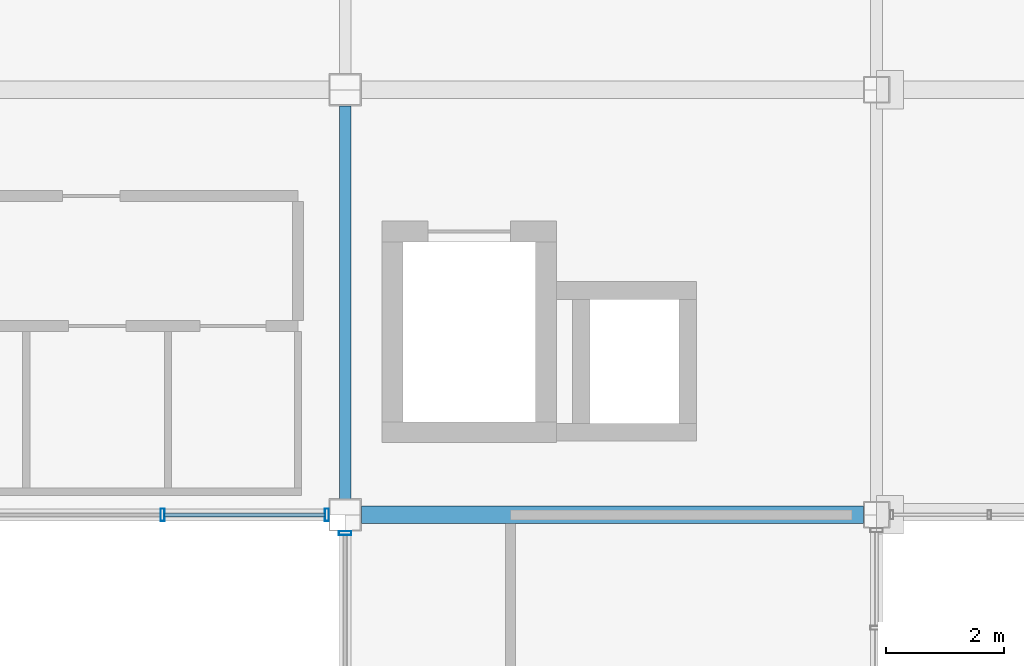
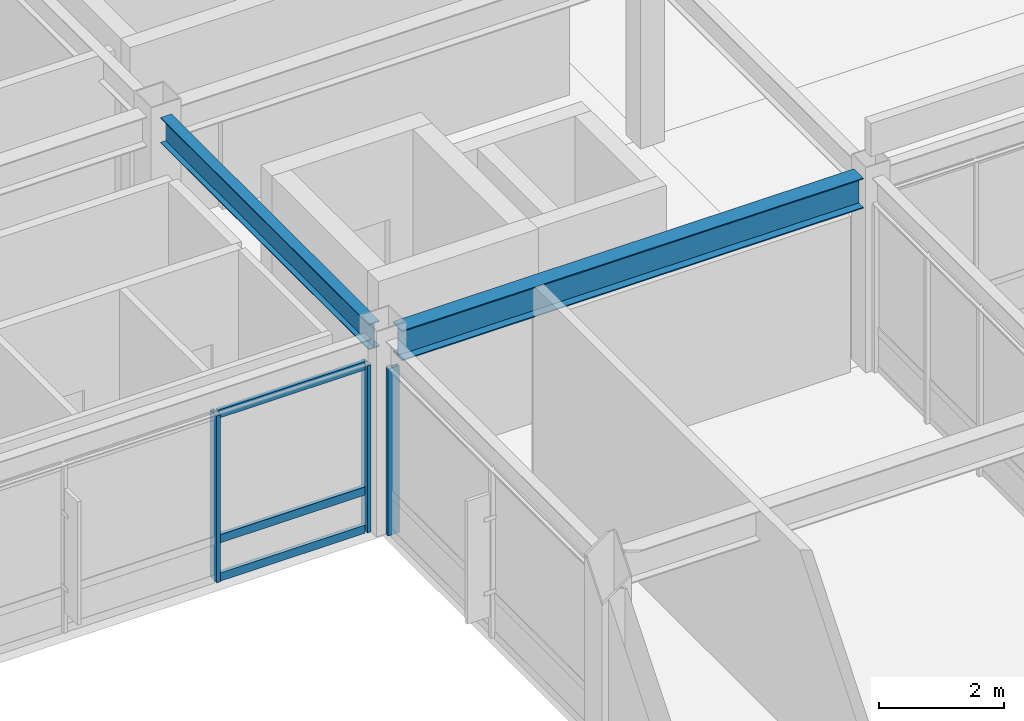
# One storey, part 75 of 122: 6 members, 2 beams, 2 elements without a shape of their own.
"""IFC4 building model written with IfcOpenShell, lengths in metres."""

from ifc_helpers import new_model, si_unit, direction, frame, origin, origin_2d, place, context, subcontext, project, spatial, hollow_rectangle, i_section, extrude, material, material_profile, profile_set, type_object, element, aggregate, save


model = new_model("IFC4")

# Units and contexts
model_context = context("Model", 3, precision=1e-05, world=origin(), true_north=direction((0.0, 1.0)))
body_context = subcontext(model_context, "Body", "Model", "MODEL_VIEW")
ifc_project = project(units=[si_unit("LENGTHUNIT", "METRE"), si_unit("AREAUNIT", "SQUARE_METRE"), si_unit("VOLUMEUNIT", "CUBIC_METRE"), si_unit("PLANEANGLEUNIT", "RADIAN"), si_unit("MASSUNIT", "GRAM", prefix="KILO")], contexts=[model_context])

# Site, building, storey
site_placement = place(None, origin())
site = spatial("IfcSite", under=ifc_project, at=site_placement, CompositionType="ELEMENT")
building_placement = place(site_placement, origin())
building = spatial("IfcBuilding", under=site, at=building_placement, Name="Kazanami Central Library", CompositionType="ELEMENT")
storey_placement = place(building_placement, frame((0.0, 0.0, 4.800048828125)))
storey = spatial("IfcBuildingStorey", under=building, at=storey_placement, Name="L02", CompositionType="ELEMENT", Elevation=4.800048828125)

# Beams
ifc_material_1 = material(Name="Steel SN490B (325 MPa)", Category="steel")
ifc_material_profile_1 = material_profile(ifc_material_1, i_section(OverallWidth=0.300048828125, OverallDepth=0.587890625, WebThickness=0.011962890625, FlangeThickness=0.02001953125, at=origin_2d()), Name="H-588x300x12x20")
ifc_profile_set_1 = profile_set([ifc_material_profile_1], Name="Steel SN490B (325 MPa)")
beam_type_1 = type_object("IfcBeamType", Name="BM-G-X2", PredefinedType="BEAM", material=ifc_profile_set_1)
beam_1_placement = place(storey_placement, frame((99.27294921875, 64.800048828125, 3.4609375), z_axis=(1.0, 0.0, 0.0), x_axis=(0.0, 1.0, 0.0)))
element("IfcBeam", 1, at=beam_1_placement, inside=storey, type_object=beam_type_1, Name="Girder G-X2 L02 K/12-13", PredefinedType="BEAM", context=body_context, shape_type="SweptSolid", body=[
    extrude(i_section(OverallWidth=0.300048828125, OverallDepth=0.587890625, WebThickness=0.011962890625, FlangeThickness=0.02001953125, at=origin_2d()), origin(), (0.0, 0.0, 1.0), 8.504150390625),
])
ifc_material_profile_2 = material_profile(ifc_material_1, i_section(OverallWidth=0.199951171875, OverallDepth=0.5, WebThickness=0.010009765625, FlangeThickness=0.01611328125, at=origin_2d()), Name="H-500x200x10x16")
ifc_profile_set_2 = profile_set([ifc_material_profile_2], Name="Steel SN490B (325 MPa)")
beam_type_2 = type_object("IfcBeamType", Name="BM-G-Y2", PredefinedType="BEAM", material=ifc_profile_set_2)
beam_2_placement = place(storey_placement, frame((99.0, 65.072998046875, 3.5048828125), z_axis=(0.0, 1.0, 0.0), x_axis=(-1.0, 0.0, 0.0)))
element("IfcBeam", 2, at=beam_2_placement, inside=storey, type_object=beam_type_2, Name="Girder G-Y2 L02 12/K-L", PredefinedType="BEAM", context=body_context, shape_type="SweptSolid", body=[
    extrude(i_section(OverallWidth=0.199951171875, OverallDepth=0.5, WebThickness=0.010009765625, FlangeThickness=0.01611328125, at=origin_2d()), origin(), (0.0, 0.0, 1.0), 6.654052734375),
])

# Curtain wall, members
ifc_material_2 = material(Name="Acid-Etched Low-E Laminated Glass", Category="glass")
curtain_wall_type_1 = type_object("IfcCurtainWallType", Name="CW-8450x3255-M275", PredefinedType="USERDEFINED", material=ifc_material_2)
curtain_wall_1_placement = place(storey_placement, origin())
curtain_wall_1 = element("IfcCurtainWall", 3, at=curtain_wall_1_placement, inside=storey, type_object=curtain_wall_type_1, Name="Unitised Curtain Wall CW-13 L02 S-K-10", ObjectType="UNITISED CURTAIN WALL", PredefinedType="USERDEFINED")
ifc_material_3 = material(Name="Anodised Aluminium A6063-T5", Category="aluminium")
ifc_material_profile_3 = material_profile(ifc_material_3, hollow_rectangle(XDim=0.070068359375, YDim=0.2099609375, WallThickness=0.0048828125, at=origin_2d()), Name="ALU-MULL-70x210x5")
ifc_profile_set_3 = profile_set([ifc_material_profile_3], Name="Anodised Aluminium A6063-T5")
member_type_1 = type_object("IfcMemberType", Name="MEM-CW-M1", PredefinedType="MULLION", material=ifc_profile_set_3)
member_1_placement = place(storey_placement, frame((95.908447265625, 64.800048828125, 0.0), z_axis=(0.0, 0.0, 1.0), x_axis=(1.0, 0.0, 0.0)))
member_1 = element("IfcMember", 4, at=member_1_placement, type_object=member_type_1, Name="CW-13 mullion 3", PredefinedType="MULLION", context=body_context, shape_type="SweptSolid", body=[
    extrude(hollow_rectangle(XDim=0.070068359375, YDim=0.2099609375, WallThickness=0.0048828125, at=origin_2d()), origin(), (0.0, 0.0, 1.0), 3.2548828125),
])
member_2_placement = place(storey_placement, frame((98.68994140625, 64.800048828125, 0.0), z_axis=(0.0, 0.0, 1.0), x_axis=(1.0, 0.0, 0.0)))
member_2 = element("IfcMember", 5, at=member_2_placement, type_object=member_type_1, Name="CW-13 mullion 4", PredefinedType="MULLION", context=body_context, shape_type="SweptSolid", body=[
    extrude(hollow_rectangle(XDim=0.070068359375, YDim=0.2099609375, WallThickness=0.0048828125, at=origin_2d()), origin(), (0.0, 0.0, 1.0), 3.2548828125),
])

# Curtain wall, member
curtain_wall_type_2 = type_object("IfcCurtainWallType", Name="CW-6650x3255-M275", PredefinedType="USERDEFINED", material=ifc_material_2)
curtain_wall_2_placement = place(storey_placement, origin())
curtain_wall_2 = element("IfcCurtainWall", 6, at=curtain_wall_2_placement, inside=storey, type_object=curtain_wall_type_2, Name="Unitised Curtain Wall CW-22 L02 W-12-08", ObjectType="UNITISED CURTAIN WALL", PredefinedType="USERDEFINED")
member_3_placement = place(storey_placement, frame((99.0, 64.489990234375, 0.0), z_axis=(0.0, 0.0, 1.0), x_axis=(0.0, 1.0, 0.0)))
member_3 = element("IfcMember", 7, at=member_3_placement, type_object=member_type_1, Name="CW-22 mullion 3", PredefinedType="MULLION", context=body_context, shape_type="SweptSolid", body=[
    extrude(hollow_rectangle(XDim=0.070068359375, YDim=0.2099609375, WallThickness=0.0048828125, at=origin_2d()), origin(), (0.0, 0.0, 1.0), 3.2548828125),
])
aggregate(curtain_wall_2, [member_3])

# Member
ifc_material_profile_4 = material_profile(ifc_material_3, hollow_rectangle(XDim=0.070068359375, YDim=0.159912109375, WallThickness=0.00390625, at=origin_2d()), Name="ALU-TRAN-70x160x4")
ifc_profile_set_4 = profile_set([ifc_material_profile_4], Name="Anodised Aluminium A6063-T5")
member_type_2 = type_object("IfcMemberType", Name="MEM-CW-T1", PredefinedType="USERDEFINED", material=ifc_profile_set_4)
member_4_placement = place(storey_placement, frame((95.943359375, 64.800048828125, 0.034912109375), z_axis=(1.0, 0.0, 0.0), x_axis=(0.0, 1.0, 0.0)))
member_4 = element("IfcMember", 8, at=member_4_placement, type_object=member_type_2, Name="CW-13 transom 3.1", ObjectType="TRANSOM", PredefinedType="USERDEFINED", context=body_context, shape_type="SweptSolid", body=[
    extrude(hollow_rectangle(XDim=0.070068359375, YDim=0.159912109375, WallThickness=0.00390625, at=origin_2d()), origin(), (0.0, 0.0, 1.0), 2.711669921875),
])

member_5_placement = place(storey_placement, frame((95.943359375, 64.800048828125, 0.780029296875), z_axis=(1.0, 0.0, 0.0), x_axis=(0.0, 1.0, 0.0)))
member_5 = element("IfcMember", 9, at=member_5_placement, type_object=member_type_2, Name="CW-13 transom 3.2", ObjectType="TRANSOM", PredefinedType="USERDEFINED", context=body_context, shape_type="SweptSolid", body=[
    extrude(hollow_rectangle(XDim=0.070068359375, YDim=0.159912109375, WallThickness=0.00390625, at=origin_2d()), origin(), (0.0, 0.0, 1.0), 2.711669921875),
])

member_6_placement = place(storey_placement, frame((95.943359375, 64.800048828125, 3.219970703125), z_axis=(1.0, 0.0, 0.0), x_axis=(0.0, 1.0, 0.0)))
member_6 = element("IfcMember", 10, at=member_6_placement, type_object=member_type_2, Name="CW-13 transom 3.3", ObjectType="TRANSOM", PredefinedType="USERDEFINED", context=body_context, shape_type="SweptSolid", body=[
    extrude(hollow_rectangle(XDim=0.070068359375, YDim=0.159912109375, WallThickness=0.00390625, at=origin_2d()), origin(), (0.0, 0.0, 1.0), 2.711669921875),
])

aggregate(curtain_wall_1, [member_1, member_2, member_4, member_5, member_6])

save(model, "model.ifc")
